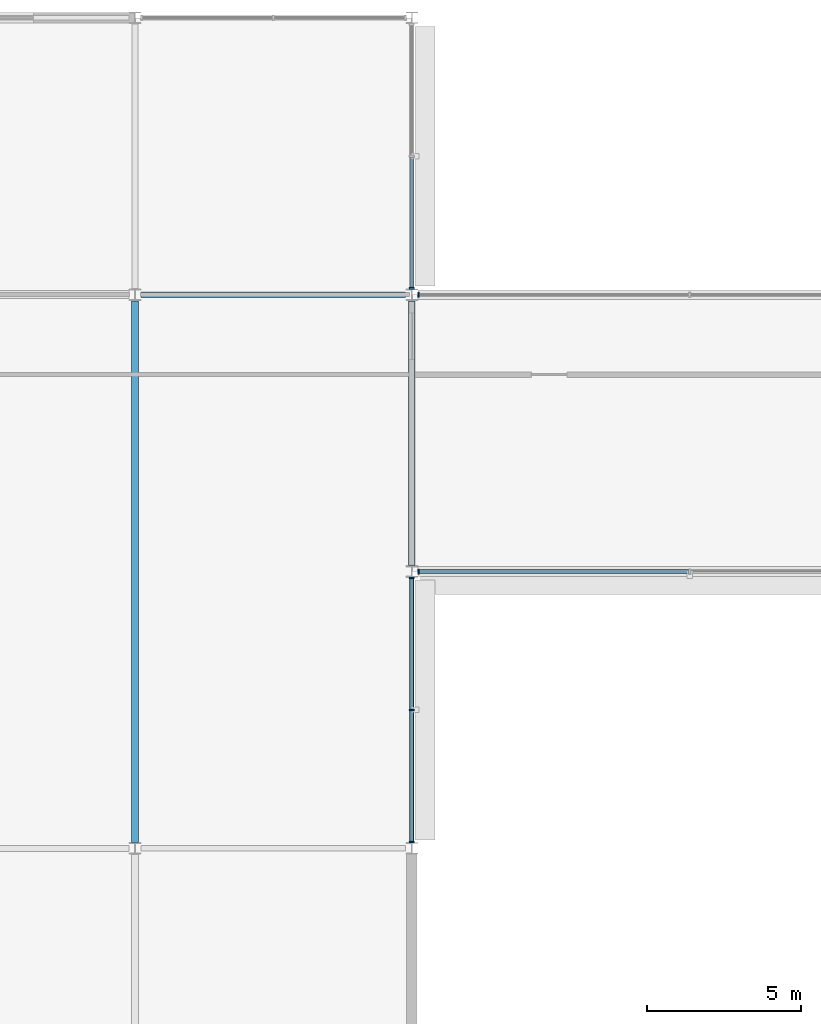
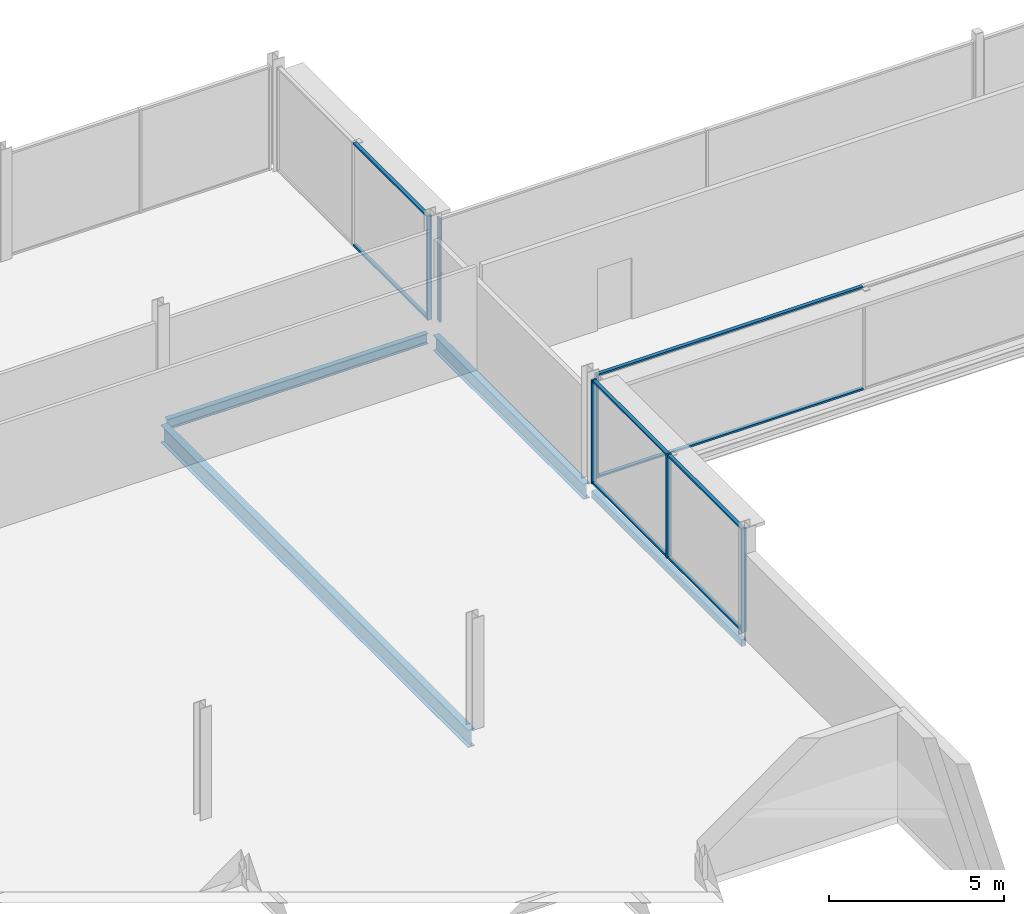
# One storey, part 31 of 98: 14 members, 4 beams, 4 elements without a shape of their own.
"""IFC4 building model written with IfcOpenShell, lengths in metres."""

from ifc_helpers import new_model, si_unit, direction, frame, origin, origin_2d, place, context, subcontext, project, spatial, rectangle, hollow_rectangle, i_section, extrude, material, layer, layer_set, material_profile, profile_set, type_object, element, aggregate, save


model = new_model("IFC4")

# Units and contexts
model_context = context("Model", 3, precision=1e-05, world=origin(), true_north=direction((0.0, 1.0)))
body_context = subcontext(model_context, "Body", "Model", "MODEL_VIEW")
ifc_project = project(units=[si_unit("LENGTHUNIT", "METRE"), si_unit("AREAUNIT", "SQUARE_METRE"), si_unit("VOLUMEUNIT", "CUBIC_METRE"), si_unit("PLANEANGLEUNIT", "RADIAN"), si_unit("MASSUNIT", "GRAM", prefix="KILO")], contexts=[model_context])

# Site, building, storey
site_placement = place(None, origin())
site = spatial("IfcSite", under=ifc_project, at=site_placement, CompositionType="ELEMENT")
building_placement = place(site_placement, origin())
building = spatial("IfcBuilding", under=site, at=building_placement, Name="Kisiwana Market Hall", CompositionType="ELEMENT")
storey_placement = place(building_placement, frame((0.0, 0.0, 29.39990234375)))
storey = spatial("IfcBuildingStorey", under=building, at=storey_placement, Name="L06", CompositionType="ELEMENT", Elevation=29.39990234375)

# Beams
ifc_material_1 = material(Name="Steel S355", Category="steel")
ifc_material_profile_1 = material_profile(ifc_material_1, i_section(OverallWidth=0.209228515625, OverallDepth=0.533203125, WebThickness=0.010009765625, FlangeThickness=0.015625, at=origin_2d()), Name="UB 533x210x92")
ifc_profile_set_1 = profile_set([ifc_material_profile_1], Name="Steel S355")
beam_type_1 = type_object("IfcBeamType", Name="BM-GIRD-UB533", PredefinedType="BEAM", material=ifc_profile_set_1)
beam_1_placement = place(storey_placement, frame((45.0, 93.19921875, -0.531494140625), z_axis=(0.0, 1.0, 0.0), x_axis=(-1.0, 0.0, 0.0)))
element("IfcBeam", 1, at=beam_1_placement, inside=storey, type_object=beam_type_1, Name="Primary girder B-1718", PredefinedType="BEAM", context=body_context, shape_type="SweptSolid", body=[
    extrude(i_section(OverallWidth=0.209228515625, OverallDepth=0.533203125, WebThickness=0.010009765625, FlangeThickness=0.015625, at=origin_2d()), origin(), (0.0, 0.0, 1.0), 8.6015625),
])
ifc_material_2 = material(Name="Steel S355", Category="steel")
ifc_material_profile_2 = material_profile(ifc_material_2, i_section(OverallWidth=0.22900390625, OverallDepth=0.6123046875, WebThickness=0.011962890625, FlangeThickness=0.01953125, at=origin_2d()), Name="UB 610x229x125")
ifc_profile_set_2 = profile_set([ifc_material_profile_2], Name="Steel S355")
beam_type_2 = type_object("IfcBeamType", Name="BM-GIRD-UB610H", PredefinedType="BEAM", material=ifc_profile_set_2)
beam_2_placement = place(storey_placement, frame((36.0, 84.19921875, -0.551025390625), z_axis=(0.0, 1.0, 0.0), x_axis=(-1.0, 0.0, 0.0)))
element("IfcBeam", 2, at=beam_2_placement, inside=storey, type_object=beam_type_2, Name="Primary girder B-1715", PredefinedType="BEAM", context=body_context, shape_type="SweptSolid", body=[
    extrude(i_section(OverallWidth=0.22900390625, OverallDepth=0.6123046875, WebThickness=0.011962890625, FlangeThickness=0.01953125, at=origin_2d()), origin(), (0.0, 0.0, 1.0), 17.6015625),
])
ifc_material_3 = material(Name="Steel S355", Category="steel")
ifc_material_profile_3 = material_profile(ifc_material_3, i_section(OverallWidth=0.169921875, OverallDepth=0.360107421875, WebThickness=0.008056640625, FlangeThickness=0.0126953125, FilletRadius=0.01806640625, at=origin_2d()), Name="IPE 360")
ifc_profile_set_3 = profile_set([ifc_material_profile_3], Name="Steel S355")
beam_type_3 = type_object("IfcBeamType", Name="BM-JOIST-IPE360", PredefinedType="JOIST", material=ifc_profile_set_3)
beam_3_placement = place(storey_placement, frame((36.19921875, 102.0, -0.4248046875), z_axis=(1.0, 0.0, 0.0), x_axis=(0.0, 1.0, 0.0)))
element("IfcBeam", 3, at=beam_3_placement, inside=storey, type_object=beam_type_3, Name="Floor beam B-1830", PredefinedType="JOIST", context=body_context, shape_type="SweptSolid", body=[
    extrude(i_section(OverallWidth=0.169921875, OverallDepth=0.360107421875, WebThickness=0.008056640625, FlangeThickness=0.0126953125, FilletRadius=0.01806640625, at=origin_2d()), origin(), (0.0, 0.0, 1.0), 8.6015625),
])
ifc_material_4 = material(Name="Steel S355", Category="steel")
ifc_material_profile_4 = material_profile(ifc_material_4, hollow_rectangle(XDim=0.14990234375, YDim=0.25, WallThickness=0.010009765625, at=origin_2d()), Name="RHS 250x150x10.0")
ifc_profile_set_4 = profile_set([ifc_material_profile_4], Name="Steel S355")
beam_type_4 = type_object("IfcBeamType", Name="BM-SPAN-RHS250", PredefinedType="SPANDREL", material=ifc_profile_set_4)
beam_4_placement = place(storey_placement, frame((45.0, 84.19921875, -0.369873046875), z_axis=(0.0, 1.0, 0.0), x_axis=(-1.0, 0.0, 0.0)))
element("IfcBeam", 4, at=beam_4_placement, inside=storey, type_object=beam_type_4, Name="Floor beam B-1861", PredefinedType="SPANDREL", context=body_context, shape_type="SweptSolid", body=[
    extrude(hollow_rectangle(XDim=0.14990234375, YDim=0.25, WallThickness=0.010009765625, at=origin_2d()), origin(), (0.0, 0.0, 1.0), 8.6015625),
])

# Curtain wall, member
ifc_material_5 = material(Name="Double-glazed solar-control low-E IGU", Category="glass")
ifc_layer = layer(ifc_material_5, 0.159912109375)
ifc_layer_set = layer_set([ifc_layer], Name="CW-ZNA-EW-8200")
curtain_wall_type = type_object("IfcCurtainWallType", Name="CW-ZNA-EW-8200", PredefinedType="USERDEFINED", material=ifc_layer_set)
curtain_wall_1_placement = place(storey_placement, origin())
curtain_wall_1 = element("IfcCurtainWall", 5, at=curtain_wall_1_placement, inside=storey, type_object=curtain_wall_type, Name="Unitised curtain wall CW-184 (L06)", ObjectType="UNITISED CURTAIN WALL", PredefinedType="USERDEFINED")
ifc_material_6 = material(Name="Aluminium alloy 6063-T6", Category="aluminium")
ifc_material_profile_5 = material_profile(ifc_material_6, rectangle(XDim=0.06005859375, YDim=0.159912109375, at=origin_2d()), Name="ALU MULLION 60x160")
ifc_profile_set_5 = profile_set([ifc_material_profile_5], Name="Aluminium alloy 6063-T6")
member_type_1 = type_object("IfcMemberType", Name="CW-MULL-60x160", PredefinedType="MULLION", material=ifc_profile_set_5)
member_1_placement = place(storey_placement, frame((45.21533203125, 93.0, 0.0), z_axis=(0.0, 0.0, 1.0), x_axis=(1.0, 0.0, 0.0)))
member_1 = element("IfcMember", 6, at=member_1_placement, type_object=member_type_1, Name="CW-184 mullion 1", PredefinedType="MULLION", context=body_context, shape_type="SweptSolid", body=[
    extrude(rectangle(XDim=0.06005859375, YDim=0.159912109375, at=origin_2d()), origin(), (0.0, 0.0, 1.0), 3.6201171875),
])

curtain_wall_2_placement = place(storey_placement, origin())
curtain_wall_2 = element("IfcCurtainWall", 7, at=curtain_wall_2_placement, inside=storey, type_object=curtain_wall_type, Name="Unitised curtain wall CW-190 (L06)", ObjectType="UNITISED CURTAIN WALL", PredefinedType="USERDEFINED")
member_2_placement = place(storey_placement, frame((45.21533203125, 102.0, 0.0), z_axis=(0.0, 0.0, 1.0), x_axis=(1.0, 0.0, 0.0)))
member_2 = element("IfcMember", 8, at=member_2_placement, type_object=member_type_1, Name="CW-190 mullion 1", PredefinedType="MULLION", context=body_context, shape_type="SweptSolid", body=[
    extrude(rectangle(XDim=0.06005859375, YDim=0.159912109375, at=origin_2d()), origin(), (0.0, 0.0, 1.0), 3.6201171875),
])
aggregate(curtain_wall_2, [member_2])

# Curtain wall, members
curtain_wall_3_placement = place(storey_placement, origin())
curtain_wall_3 = element("IfcCurtainWall", 9, at=curtain_wall_3_placement, inside=storey, type_object=curtain_wall_type, Name="Unitised curtain wall CW-202 (L06)", ObjectType="UNITISED CURTAIN WALL", PredefinedType="USERDEFINED")
member_3_placement = place(storey_placement, frame((45.0, 84.2109375, 0.0), z_axis=(0.0, 0.0, 1.0), x_axis=(0.0, 1.0, 0.0)))
member_3 = element("IfcMember", 10, at=member_3_placement, type_object=member_type_1, Name="CW-202 mullion 1", PredefinedType="MULLION", context=body_context, shape_type="SweptSolid", body=[
    extrude(rectangle(XDim=0.06005859375, YDim=0.159912109375, at=origin_2d()), origin(), (0.0, 0.0, 1.0), 3.6201171875),
])
member_4_placement = place(storey_placement, frame((45.0, 88.5, 0.0), z_axis=(0.0, 0.0, 1.0), x_axis=(0.0, 1.0, 0.0)))
member_4 = element("IfcMember", 11, at=member_4_placement, type_object=member_type_1, Name="CW-202 mullion 2", PredefinedType="MULLION", context=body_context, shape_type="SweptSolid", body=[
    extrude(rectangle(XDim=0.06005859375, YDim=0.159912109375, at=origin_2d()), origin(), (0.0, 0.0, 1.0), 3.6201171875),
])
member_5_placement = place(storey_placement, frame((45.0, 92.7890625, 0.0), z_axis=(0.0, 0.0, 1.0), x_axis=(0.0, 1.0, 0.0)))
member_5 = element("IfcMember", 12, at=member_5_placement, type_object=member_type_1, Name="CW-202 mullion 3", PredefinedType="MULLION", context=body_context, shape_type="SweptSolid", body=[
    extrude(rectangle(XDim=0.06005859375, YDim=0.159912109375, at=origin_2d()), origin(), (0.0, 0.0, 1.0), 3.6201171875),
])

# Curtain wall, member
curtain_wall_4_placement = place(storey_placement, origin())
curtain_wall_4 = element("IfcCurtainWall", 13, at=curtain_wall_4_placement, inside=storey, type_object=curtain_wall_type, Name="Unitised curtain wall CW-203 (L06)", ObjectType="UNITISED CURTAIN WALL", PredefinedType="USERDEFINED")
member_6_placement = place(storey_placement, frame((45.0, 102.2109375, 0.0), z_axis=(0.0, 0.0, 1.0), x_axis=(0.0, 1.0, 0.0)))
member_6 = element("IfcMember", 14, at=member_6_placement, type_object=member_type_1, Name="CW-203 mullion 1", PredefinedType="MULLION", context=body_context, shape_type="SweptSolid", body=[
    extrude(rectangle(XDim=0.06005859375, YDim=0.159912109375, at=origin_2d()), origin(), (0.0, 0.0, 1.0), 3.6201171875),
])

# Member
ifc_material_7 = material(Name="Aluminium alloy 6063-T6", Category="aluminium")
ifc_material_profile_6 = material_profile(ifc_material_7, rectangle(XDim=0.1201171875, YDim=0.06005859375, at=origin_2d()), Name="ALU TRANSOM 60x120")
ifc_profile_set_6 = profile_set([ifc_material_profile_6], Name="Aluminium alloy 6063-T6")
member_type_2 = type_object("IfcMemberType", Name="CW-TRAN-60x120", PredefinedType="USERDEFINED", material=ifc_profile_set_6)
member_7_placement = place(storey_placement, frame((45.245361328125, 93.0, 0.030029296875), z_axis=(1.0, 0.0, 0.0), x_axis=(0.0, 1.0, 0.0)))
member_7 = element("IfcMember", 15, at=member_7_placement, type_object=member_type_2, Name="CW-184 transom 1.1", ObjectType="TRANSOM", PredefinedType="USERDEFINED", context=body_context, shape_type="SweptSolid", body=[
    extrude(rectangle(XDim=0.1201171875, YDim=0.06005859375, at=origin_2d()), origin(), (0.0, 0.0, 1.0), 8.7548828125),
])

member_8_placement = place(storey_placement, frame((45.245361328125, 93.0, 3.590087890625), z_axis=(1.0, 0.0, 0.0), x_axis=(0.0, 1.0, 0.0)))
member_8 = element("IfcMember", 16, at=member_8_placement, type_object=member_type_2, Name="CW-184 transom 1.2", ObjectType="TRANSOM", PredefinedType="USERDEFINED", context=body_context, shape_type="SweptSolid", body=[
    extrude(rectangle(XDim=0.1201171875, YDim=0.06005859375, at=origin_2d()), origin(), (0.0, 0.0, 1.0), 8.7548828125),
])

aggregate(curtain_wall_1, [member_1, member_7, member_8])

member_9_placement = place(storey_placement, frame((45.0, 84.240966796875, 0.030029296875), z_axis=(0.0, 1.0, 0.0), x_axis=(-1.0, 0.0, 0.0)))
member_9 = element("IfcMember", 17, at=member_9_placement, type_object=member_type_2, Name="CW-202 transom 1.1", ObjectType="TRANSOM", PredefinedType="USERDEFINED", context=body_context, shape_type="SweptSolid", body=[
    extrude(rectangle(XDim=0.1201171875, YDim=0.06005859375, at=origin_2d()), origin(), (0.0, 0.0, 1.0), 4.22900390625),
])

member_10_placement = place(storey_placement, frame((45.0, 84.240966796875, 3.590087890625), z_axis=(0.0, 1.0, 0.0), x_axis=(-1.0, 0.0, 0.0)))
member_10 = element("IfcMember", 18, at=member_10_placement, type_object=member_type_2, Name="CW-202 transom 1.2", ObjectType="TRANSOM", PredefinedType="USERDEFINED", context=body_context, shape_type="SweptSolid", body=[
    extrude(rectangle(XDim=0.1201171875, YDim=0.06005859375, at=origin_2d()), origin(), (0.0, 0.0, 1.0), 4.22900390625),
])

member_11_placement = place(storey_placement, frame((45.0, 88.530029296875, 0.030029296875), z_axis=(0.0, 1.0, 0.0), x_axis=(-1.0, 0.0, 0.0)))
member_11 = element("IfcMember", 19, at=member_11_placement, type_object=member_type_2, Name="CW-202 transom 2.1", ObjectType="TRANSOM", PredefinedType="USERDEFINED", context=body_context, shape_type="SweptSolid", body=[
    extrude(rectangle(XDim=0.1201171875, YDim=0.06005859375, at=origin_2d()), origin(), (0.0, 0.0, 1.0), 4.22900390625),
])

member_12_placement = place(storey_placement, frame((45.0, 88.530029296875, 3.590087890625), z_axis=(0.0, 1.0, 0.0), x_axis=(-1.0, 0.0, 0.0)))
member_12 = element("IfcMember", 20, at=member_12_placement, type_object=member_type_2, Name="CW-202 transom 2.2", ObjectType="TRANSOM", PredefinedType="USERDEFINED", context=body_context, shape_type="SweptSolid", body=[
    extrude(rectangle(XDim=0.1201171875, YDim=0.06005859375, at=origin_2d()), origin(), (0.0, 0.0, 1.0), 4.22900390625),
])

aggregate(curtain_wall_3, [member_3, member_4, member_5, member_9, member_10, member_11, member_12])

member_13_placement = place(storey_placement, frame((45.0, 102.240966796875, 0.030029296875), z_axis=(0.0, 1.0, 0.0), x_axis=(-1.0, 0.0, 0.0)))
member_13 = element("IfcMember", 21, at=member_13_placement, type_object=member_type_2, Name="CW-203 transom 1.1", ObjectType="TRANSOM", PredefinedType="USERDEFINED", context=body_context, shape_type="SweptSolid", body=[
    extrude(rectangle(XDim=0.1201171875, YDim=0.06005859375, at=origin_2d()), origin(), (0.0, 0.0, 1.0), 4.22900390625),
])

member_14_placement = place(storey_placement, frame((45.0, 102.240966796875, 3.590087890625), z_axis=(0.0, 1.0, 0.0), x_axis=(-1.0, 0.0, 0.0)))
member_14 = element("IfcMember", 22, at=member_14_placement, type_object=member_type_2, Name="CW-203 transom 1.2", ObjectType="TRANSOM", PredefinedType="USERDEFINED", context=body_context, shape_type="SweptSolid", body=[
    extrude(rectangle(XDim=0.1201171875, YDim=0.06005859375, at=origin_2d()), origin(), (0.0, 0.0, 1.0), 4.22900390625),
])

aggregate(curtain_wall_4, [member_6, member_13, member_14])

save(model, "model.ifc")
